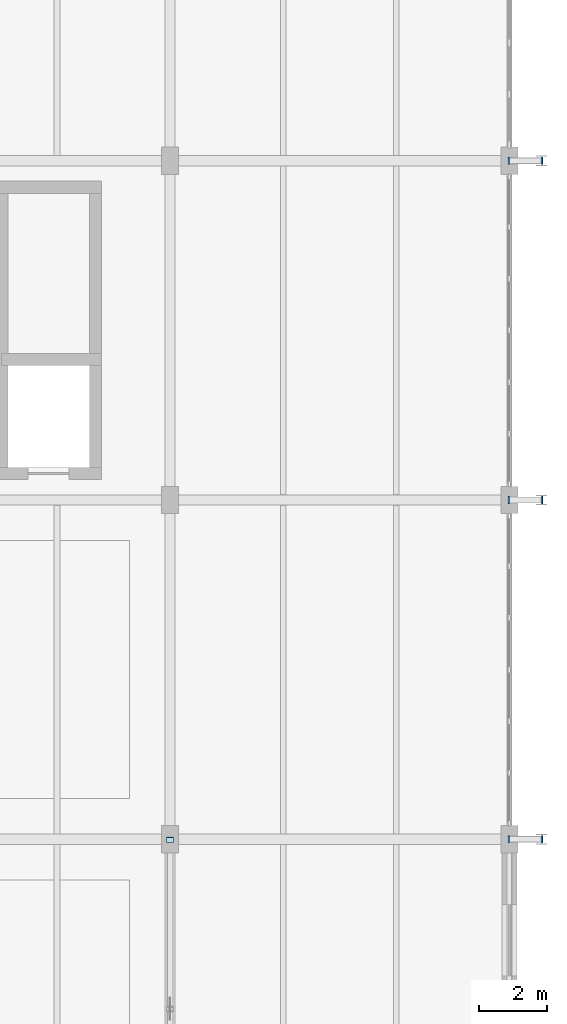
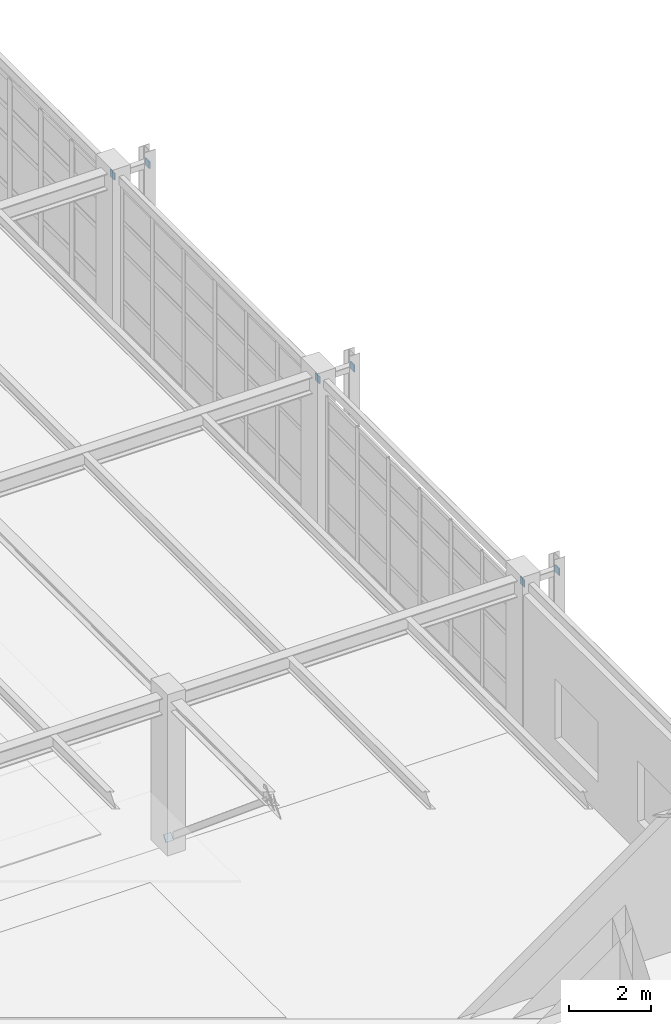
# One storey, part 115 of 139: 7 plates.
"""IFC4 building model written with IfcOpenShell, lengths in metres."""

from ifc_helpers import new_model, si_unit, direction, frame, origin, origin_2d, place, context, subcontext, project, spatial, rectangle, extrude, material, layer, layer_set, type_object, element, save


model = new_model("IFC4")

# Units and contexts
model_context = context("Model", 3, precision=1e-05, world=origin(), true_north=direction((0.0, 1.0)))
body_context = subcontext(model_context, "Body", "Model", "MODEL_VIEW")
ifc_project = project(units=[si_unit("LENGTHUNIT", "METRE"), si_unit("AREAUNIT", "SQUARE_METRE"), si_unit("VOLUMEUNIT", "CUBIC_METRE"), si_unit("PLANEANGLEUNIT", "RADIAN"), si_unit("MASSUNIT", "GRAM", prefix="KILO"), si_unit("THERMODYNAMICTEMPERATUREUNIT", "KELVIN"), si_unit("POWERUNIT", "WATT")], contexts=[model_context])

# Site, building, storey
site_placement = place(None, origin())
site = spatial("IfcSite", under=ifc_project, at=site_placement, CompositionType="ELEMENT")
building_placement = place(site_placement, origin())
building = spatial("IfcBuilding", under=site, at=building_placement, Name="Korenveer Ferry Terminal", CompositionType="ELEMENT")
storey_placement = place(building_placement, frame((0.0, 0.0, 5.39990234375)))
storey = spatial("IfcBuildingStorey", under=building, at=storey_placement, Name="L01", CompositionType="ELEMENT", Elevation=5.39990234375)

# Plates
ifc_material = material(Name="Steel S355", Category="steel")
ifc_layer = layer(ifc_material, 0.031982421875)
ifc_layer_set = layer_set([ifc_layer], Name="Steel S355")
plate_type = type_object("IfcPlateType", Name="STR-PLT-CAP32", PredefinedType="USERDEFINED", material=ifc_layer_set)
for number, where, z_axis, x_axis, name in (
    (1, (175.9677734375, 50.0, 4.35009765625), (1.0, 0.0, 0.0), (0.0, 1.0, 0.0), "Hollow section end cap 133"),
    (2, (176.9501953125, 50.0, 4.35009765625), (1.0, 0.0, 0.0), (0.0, 1.0, 0.0), "Hollow section end cap 134"),
    (3, (175.9677734375, 60.0, 4.35009765625), (1.0, 0.0, 0.0), (0.0, 1.0, 0.0), "Hollow section end cap 139"),
    (4, (176.9501953125, 60.0, 4.35009765625), (1.0, 0.0, 0.0), (0.0, 1.0, 0.0), "Hollow section end cap 140"),
    (5, (175.9677734375, 70.0, 4.35009765625), (1.0, 0.0, 0.0), (0.0, 1.0, 0.0), "Hollow section end cap 145"),
    (6, (176.9501953125, 70.0, 4.35009765625), (1.0, 0.0, 0.0), (0.0, 1.0, 0.0), "Hollow section end cap 146"),
    (7, (166.0, 49.97998046875, 0.239990234375), (0.0, 0.767462827943, -0.641093446953), (-1.0, 0.0, 0.0), "Hollow section end cap 609"),
):
    element("IfcPlate", number, at=place(storey_placement, frame(where, z_axis=z_axis, x_axis=x_axis)), inside=storey, type_object=plate_type, Name=name, ObjectType="END CAP PLATE", PredefinedType="USERDEFINED", context=body_context, shape_type="SweptSolid", body=[
        extrude(rectangle(XDim=0.2099609375, YDim=0.2099609375, at=origin_2d()), origin(), (0.0, 0.0, 1.0), 0.031982421875),
    ])

save(model, "model.ifc")
